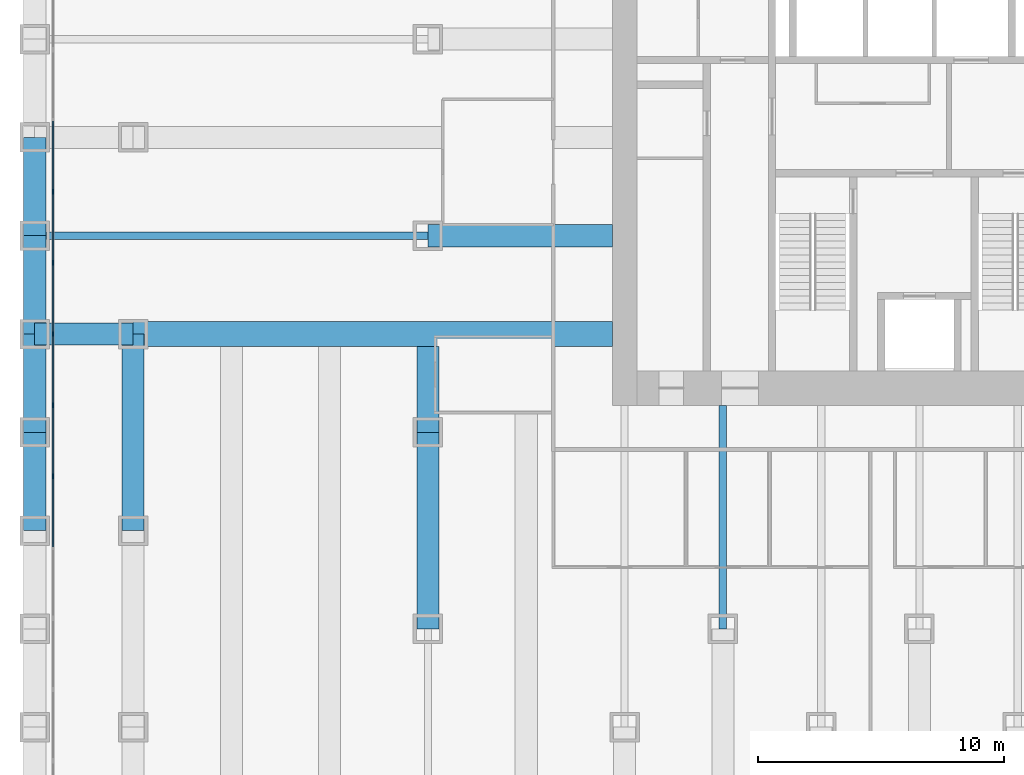
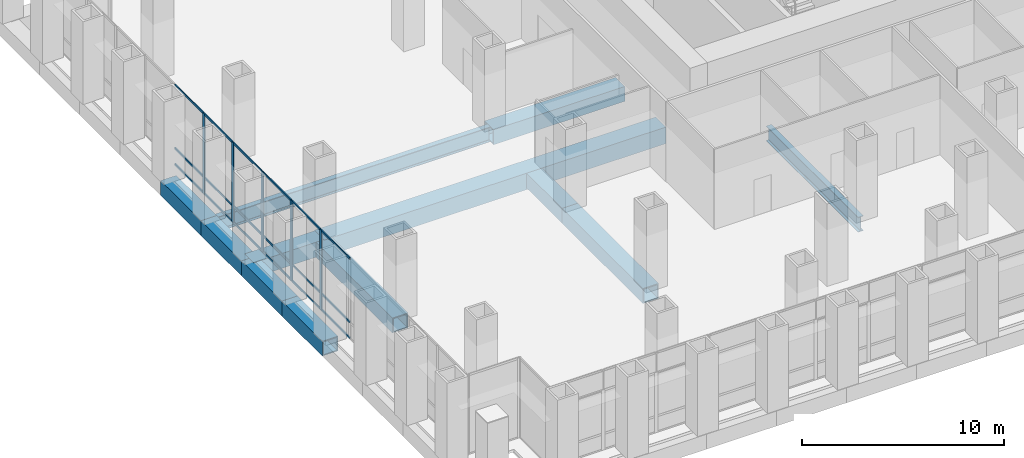
# One storey, part 4 of 18: 23 members, 12 beams, 1 element without a shape of its own.
"""IFC4 building model written with IfcOpenShell, lengths in metres."""

from ifc_helpers import new_model, si_unit, direction, frame, origin, origin_2d, place, context, subcontext, project, spatial, rectangle, hollow_rectangle, i_section, extrude, material, material_profile, profile_set, type_object, element, aggregate, save


model = new_model("IFC4")

# Units and contexts
model_context = context("Model", 3, precision=1e-05, world=origin(), true_north=direction((0.0, 1.0)))
body_context = subcontext(model_context, "Body", "Model", "MODEL_VIEW")
ifc_project = project(units=[si_unit("LENGTHUNIT", "METRE"), si_unit("AREAUNIT", "SQUARE_METRE"), si_unit("VOLUMEUNIT", "CUBIC_METRE"), si_unit("PLANEANGLEUNIT", "RADIAN"), si_unit("MASSUNIT", "GRAM", prefix="KILO")], contexts=[model_context])

# Site, building, storey
site_placement = place(None, origin())
site = spatial("IfcSite", under=ifc_project, at=site_placement, CompositionType="ELEMENT")
building_placement = place(site_placement, origin())
building = spatial("IfcBuilding", under=site, at=building_placement, Name="Rimbunsela Tower", CompositionType="ELEMENT")
storey_placement = place(building_placement, frame((0.0, 0.0, 6.0)))
storey = spatial("IfcBuildingStorey", under=building, at=storey_placement, Name="L01", CompositionType="ELEMENT", Elevation=6.0)

# Beams
ifc_material_1 = material(Name="Steel BJ 55 (fy 410 MPa)", Category="steel")
ifc_material_profile_1 = material_profile(ifc_material_1, hollow_rectangle(XDim=1.0, YDim=1.0, WallThickness=0.10009765625, at=origin_2d()), Name="BOX 1000x1000x100")
ifc_profile_set_1 = profile_set([ifc_material_profile_1], Name="Steel BJ 55 (fy 410 MPa)")
beam_type_1 = type_object("IfcBeamType", Name="Beam BOX 1000x1000x100", PredefinedType="BEAM", material=ifc_profile_set_1)
beam_1_placement = place(storey_placement, frame((-2.0, 20.0, -0.64990234375), z_axis=(1.0, 0.0, 0.0), x_axis=(0.0, 1.0, 0.0)))
element("IfcBeam", 1, at=beam_1_placement, inside=storey, type_object=beam_type_1, Name="Beam B3 L01", PredefinedType="BEAM", context=body_context, shape_type="SweptSolid", body=[
    extrude(hollow_rectangle(XDim=1.0, YDim=1.0, WallThickness=0.10009765625, at=origin_2d()), origin(), (0.0, 0.0, 1.0), 19.5),
])
ifc_material_2 = material(Name="Steel BJ 55 (fy 410 MPa)", Category="steel")
ifc_material_profile_2 = material_profile(ifc_material_2, hollow_rectangle(XDim=0.89990234375, YDim=0.89990234375, WallThickness=0.06005859375, at=origin_2d()), Name="BOX 900x900x60")
ifc_profile_set_2 = profile_set([ifc_material_profile_2], Name="Steel BJ 55 (fy 410 MPa)")
beam_type_2 = type_object("IfcBeamType", Name="Beam BOX 900x900x60", PredefinedType="BEAM", material=ifc_profile_set_2)
for number, where, z_axis, x_axis, name in (
    (2, (-6.0, 12.0, -0.60009765625), (0.0, 1.0, 0.0), (-1.0, 0.0, 0.0), "Beam B1 L01"),
    (3, (-6.0, 16.0, -0.60009765625), (0.0, 1.0, 0.0), (-1.0, 0.0, 0.0), "Beam B1 L01"),
    (4, (-6.0, 20.0, -0.60009765625), (0.0, 1.0, 0.0), (-1.0, 0.0, 0.0), "Beam B1 L01"),
    (5, (-6.0, 20.0, -0.60009765625), (1.0, 0.0, 0.0), (0.0, 1.0, 0.0), "Beam B1 L01"),
    (6, (-6.0, 24.0, -0.60009765625), (0.0, 1.0, 0.0), (-1.0, 0.0, 0.0), "Beam B1 L01"),
):
    element("IfcBeam", number, at=place(storey_placement, frame(where, z_axis=z_axis, x_axis=x_axis)), inside=storey, type_object=beam_type_2, Name=name, PredefinedType="BEAM", context=body_context, shape_type="SweptSolid", body=[
        extrude(hollow_rectangle(XDim=0.89990234375, YDim=0.89990234375, WallThickness=0.06005859375, at=origin_2d()), origin(), (0.0, 0.0, 1.0), 4.0),
    ])
for number, where, z_axis, x_axis, name in (
    (7, (-2.0, 12.0, -0.60009765625), (0.0, 1.0, 0.0), (-1.0, 0.0, 0.0), "Beam B1 L01"),
    (8, (10.0, 8.0, -0.60009765625), (0.0, 1.0, 0.0), (-1.0, 0.0, 0.0), "Beam B1 L01"),
):
    element("IfcBeam", number, at=place(storey_placement, frame(where, z_axis=z_axis, x_axis=x_axis)), inside=storey, type_object=beam_type_2, Name=name, PredefinedType="BEAM", context=body_context, shape_type="SweptSolid", body=[
        extrude(hollow_rectangle(XDim=0.89990234375, YDim=0.89990234375, WallThickness=0.06005859375, at=origin_2d()), origin(), (0.0, 0.0, 1.0), 8.0),
    ])
beam_2_placement = place(storey_placement, frame((10.0, 16.0, -0.60009765625), z_axis=(0.0, 1.0, 0.0), x_axis=(-1.0, 0.0, 0.0)))
element("IfcBeam", 9, at=beam_2_placement, inside=storey, type_object=beam_type_2, Name="Beam B1 L01", PredefinedType="BEAM", context=body_context, shape_type="SweptSolid", body=[
    extrude(hollow_rectangle(XDim=0.89990234375, YDim=0.89990234375, WallThickness=0.06005859375, at=origin_2d()), origin(), (0.0, 0.0, 1.0), 3.5),
])
beam_3_placement = place(storey_placement, frame((10.0, 24.0, -0.60009765625), z_axis=(1.0, 0.0, 0.0), x_axis=(0.0, 1.0, 0.0)))
element("IfcBeam", 10, at=beam_3_placement, inside=storey, type_object=beam_type_2, Name="Beam B1 L01", PredefinedType="BEAM", context=body_context, shape_type="SweptSolid", body=[
    extrude(hollow_rectangle(XDim=0.89990234375, YDim=0.89990234375, WallThickness=0.06005859375, at=origin_2d()), origin(), (0.0, 0.0, 1.0), 7.5),
])
ifc_material_3 = material(Name="Steel BJ 55 (fy 410 MPa)", Category="steel")
ifc_material_profile_3 = material_profile(ifc_material_3, i_section(OverallWidth=0.300048828125, OverallDepth=0.89990234375, WebThickness=0.01611328125, FlangeThickness=0.028076171875, FilletRadius=0.028076171875, at=origin_2d()), Name="H 900x300x16x28")
ifc_profile_set_3 = profile_set([ifc_material_profile_3], Name="Steel BJ 55 (fy 410 MPa)")
beam_type_3 = type_object("IfcBeamType", Name="Beam H 900x300x16x28", PredefinedType="BEAM", material=ifc_profile_set_3)
beam_4_placement = place(storey_placement, frame((-6.0, 24.0, -0.60009765625), z_axis=(1.0, 0.0, 0.0), x_axis=(0.0, 1.0, 0.0)))
element("IfcBeam", 11, at=beam_4_placement, inside=storey, type_object=beam_type_3, Name="Beam B2 L01", PredefinedType="BEAM", context=body_context, shape_type="SweptSolid", body=[
    extrude(i_section(OverallWidth=0.300048828125, OverallDepth=0.89990234375, WebThickness=0.01611328125, FlangeThickness=0.028076171875, FilletRadius=0.028076171875, at=origin_2d()), origin(), (0.0, 0.0, 1.0), 16.0),
])
beam_5_placement = place(storey_placement, frame((22.0, 8.0, -0.60009765625), z_axis=(0.0, 1.0, 0.0), x_axis=(-1.0, 0.0, 0.0)))
element("IfcBeam", 12, at=beam_5_placement, inside=storey, type_object=beam_type_3, Name="Beam B2 L01", PredefinedType="BEAM", context=body_context, shape_type="SweptSolid", body=[
    extrude(i_section(OverallWidth=0.300048828125, OverallDepth=0.89990234375, WebThickness=0.01611328125, FlangeThickness=0.028076171875, FilletRadius=0.028076171875, at=origin_2d()), origin(), (0.0, 0.0, 1.0), 9.10009765625),
])

# Curtain wall, members
ifc_material_4 = material(Name="Aluminium curtain wall", Category="aluminium")
curtain_wall_type = type_object("IfcCurtainWallType", Name="Podium glazing", PredefinedType="USERDEFINED", material=ifc_material_4)
curtain_wall_placement = place(storey_placement, origin())
curtain_wall = element("IfcCurtainWall", 13, at=curtain_wall_placement, inside=storey, type_object=curtain_wall_type, Name="Podium glazing L01", ObjectType="PODIUM GLAZING", PredefinedType="USERDEFINED")
ifc_material_5 = material(Name="Aluminium mullion", Category="aluminium")
ifc_material_profile_4 = material_profile(ifc_material_5, rectangle(XDim=0.06005859375, YDim=0.199951171875, at=origin_2d()), Name="Mullion 60x200")
ifc_profile_set_4 = profile_set([ifc_material_profile_4], Name="Aluminium mullion")
member_type_1 = type_object("IfcMemberType", Name="Curtain wall mullion 60x200", PredefinedType="MULLION", material=ifc_profile_set_4)
member_1_placement = place(storey_placement, frame((-5.25, 25.78564453125, 0.0), z_axis=(0.0, 0.0, 1.0), x_axis=(1.0, 0.0, 0.0)))
member_1 = element("IfcMember", 14, at=member_1_placement, type_object=member_type_1, Name="CW1 mullion 6", PredefinedType="MULLION", context=body_context, shape_type="SweptSolid", body=[
    extrude(rectangle(XDim=0.06005859375, YDim=0.199951171875, at=origin_2d()), origin(), (0.0, 0.0, 1.0), 4.85009765625),
])
member_2_placement = place(storey_placement, frame((-5.25, 22.892822265625, 0.0), z_axis=(0.0, 0.0, 1.0), x_axis=(1.0, 0.0, 0.0)))
member_2 = element("IfcMember", 15, at=member_2_placement, type_object=member_type_1, Name="CW1 mullion 7", PredefinedType="MULLION", context=body_context, shape_type="SweptSolid", body=[
    extrude(rectangle(XDim=0.06005859375, YDim=0.199951171875, at=origin_2d()), origin(), (0.0, 0.0, 1.0), 4.85009765625),
])
member_3_placement = place(storey_placement, frame((-5.25, 20.0, 0.0), z_axis=(0.0, 0.0, 1.0), x_axis=(1.0, 0.0, 0.0)))
member_3 = element("IfcMember", 16, at=member_3_placement, type_object=member_type_1, Name="CW1 mullion 8", PredefinedType="MULLION", context=body_context, shape_type="SweptSolid", body=[
    extrude(rectangle(XDim=0.06005859375, YDim=0.199951171875, at=origin_2d()), origin(), (0.0, 0.0, 1.0), 4.85009765625),
])
member_4_placement = place(storey_placement, frame((-5.25, 17.107177734375, 0.0), z_axis=(0.0, 0.0, 1.0), x_axis=(1.0, 0.0, 0.0)))
member_4 = element("IfcMember", 17, at=member_4_placement, type_object=member_type_1, Name="CW1 mullion 9", PredefinedType="MULLION", context=body_context, shape_type="SweptSolid", body=[
    extrude(rectangle(XDim=0.06005859375, YDim=0.199951171875, at=origin_2d()), origin(), (0.0, 0.0, 1.0), 4.85009765625),
])
member_5_placement = place(storey_placement, frame((-5.25, 14.21435546875, 0.0), z_axis=(0.0, 0.0, 1.0), x_axis=(1.0, 0.0, 0.0)))
member_5 = element("IfcMember", 18, at=member_5_placement, type_object=member_type_1, Name="CW1 mullion 10", PredefinedType="MULLION", context=body_context, shape_type="SweptSolid", body=[
    extrude(rectangle(XDim=0.06005859375, YDim=0.199951171875, at=origin_2d()), origin(), (0.0, 0.0, 1.0), 4.85009765625),
])
ifc_material_6 = material(Name="Aluminium transom", Category="aluminium")
ifc_material_profile_5 = material_profile(ifc_material_6, rectangle(XDim=0.06005859375, YDim=0.1201171875, at=origin_2d()), Name="Transom 60x120")
ifc_profile_set_5 = profile_set([ifc_material_profile_5], Name="Aluminium transom")
member_type_2 = type_object("IfcMemberType", Name="Curtain wall transom 60x120", PredefinedType="USERDEFINED", material=ifc_profile_set_5)
member_6_placement = place(storey_placement, frame((-5.25, 28.648681640625, 0.030029296875), z_axis=(0.0, -1.0, 0.0), x_axis=(1.0, 0.0, 0.0)))
member_6 = element("IfcMember", 19, at=member_6_placement, type_object=member_type_2, Name="CW1 transom 5.1", ObjectType="TRANSOM", PredefinedType="USERDEFINED", context=body_context, shape_type="SweptSolid", body=[
    extrude(rectangle(XDim=0.06005859375, YDim=0.1201171875, at=origin_2d()), origin(), (0.0, 0.0, 1.0), 2.8330078125),
])
member_7_placement = place(storey_placement, frame((-5.25, 28.648681640625, 1.0), z_axis=(0.0, -1.0, 0.0), x_axis=(1.0, 0.0, 0.0)))
member_7 = element("IfcMember", 20, at=member_7_placement, type_object=member_type_2, Name="CW1 transom 5.2", ObjectType="TRANSOM", PredefinedType="USERDEFINED", context=body_context, shape_type="SweptSolid", body=[
    extrude(rectangle(XDim=0.06005859375, YDim=0.1201171875, at=origin_2d()), origin(), (0.0, 0.0, 1.0), 2.8330078125),
])
member_8_placement = place(storey_placement, frame((-5.25, 28.648681640625, 4.820068359375), z_axis=(0.0, -1.0, 0.0), x_axis=(1.0, 0.0, 0.0)))
member_8 = element("IfcMember", 21, at=member_8_placement, type_object=member_type_2, Name="CW1 transom 5.3", ObjectType="TRANSOM", PredefinedType="USERDEFINED", context=body_context, shape_type="SweptSolid", body=[
    extrude(rectangle(XDim=0.06005859375, YDim=0.1201171875, at=origin_2d()), origin(), (0.0, 0.0, 1.0), 2.8330078125),
])
member_9_placement = place(storey_placement, frame((-5.25, 25.755615234375, 0.030029296875), z_axis=(0.0, -1.0, 0.0), x_axis=(1.0, 0.0, 0.0)))
member_9 = element("IfcMember", 22, at=member_9_placement, type_object=member_type_2, Name="CW1 transom 6.1", ObjectType="TRANSOM", PredefinedType="USERDEFINED", context=body_context, shape_type="SweptSolid", body=[
    extrude(rectangle(XDim=0.06005859375, YDim=0.1201171875, at=origin_2d()), origin(), (0.0, 0.0, 1.0), 2.832763671875),
])
member_10_placement = place(storey_placement, frame((-5.25, 25.755615234375, 1.0), z_axis=(0.0, -1.0, 0.0), x_axis=(1.0, 0.0, 0.0)))
member_10 = element("IfcMember", 23, at=member_10_placement, type_object=member_type_2, Name="CW1 transom 6.2", ObjectType="TRANSOM", PredefinedType="USERDEFINED", context=body_context, shape_type="SweptSolid", body=[
    extrude(rectangle(XDim=0.06005859375, YDim=0.1201171875, at=origin_2d()), origin(), (0.0, 0.0, 1.0), 2.832763671875),
])
member_11_placement = place(storey_placement, frame((-5.25, 25.755615234375, 4.820068359375), z_axis=(0.0, -1.0, 0.0), x_axis=(1.0, 0.0, 0.0)))
member_11 = element("IfcMember", 24, at=member_11_placement, type_object=member_type_2, Name="CW1 transom 6.3", ObjectType="TRANSOM", PredefinedType="USERDEFINED", context=body_context, shape_type="SweptSolid", body=[
    extrude(rectangle(XDim=0.06005859375, YDim=0.1201171875, at=origin_2d()), origin(), (0.0, 0.0, 1.0), 2.832763671875),
])
member_12_placement = place(storey_placement, frame((-5.25, 22.86279296875, 0.030029296875), z_axis=(0.0, -1.0, 0.0), x_axis=(1.0, 0.0, 0.0)))
member_12 = element("IfcMember", 25, at=member_12_placement, type_object=member_type_2, Name="CW1 transom 7.1", ObjectType="TRANSOM", PredefinedType="USERDEFINED", context=body_context, shape_type="SweptSolid", body=[
    extrude(rectangle(XDim=0.06005859375, YDim=0.1201171875, at=origin_2d()), origin(), (0.0, 0.0, 1.0), 2.832763671875),
])
member_13_placement = place(storey_placement, frame((-5.25, 22.86279296875, 1.0), z_axis=(0.0, -1.0, 0.0), x_axis=(1.0, 0.0, 0.0)))
member_13 = element("IfcMember", 26, at=member_13_placement, type_object=member_type_2, Name="CW1 transom 7.2", ObjectType="TRANSOM", PredefinedType="USERDEFINED", context=body_context, shape_type="SweptSolid", body=[
    extrude(rectangle(XDim=0.06005859375, YDim=0.1201171875, at=origin_2d()), origin(), (0.0, 0.0, 1.0), 2.832763671875),
])
member_14_placement = place(storey_placement, frame((-5.25, 22.86279296875, 4.820068359375), z_axis=(0.0, -1.0, 0.0), x_axis=(1.0, 0.0, 0.0)))
member_14 = element("IfcMember", 27, at=member_14_placement, type_object=member_type_2, Name="CW1 transom 7.3", ObjectType="TRANSOM", PredefinedType="USERDEFINED", context=body_context, shape_type="SweptSolid", body=[
    extrude(rectangle(XDim=0.06005859375, YDim=0.1201171875, at=origin_2d()), origin(), (0.0, 0.0, 1.0), 2.832763671875),
])
member_15_placement = place(storey_placement, frame((-5.25, 19.969970703125, 0.030029296875), z_axis=(0.0, -1.0, 0.0), x_axis=(1.0, 0.0, 0.0)))
member_15 = element("IfcMember", 28, at=member_15_placement, type_object=member_type_2, Name="CW1 transom 8.1", ObjectType="TRANSOM", PredefinedType="USERDEFINED", context=body_context, shape_type="SweptSolid", body=[
    extrude(rectangle(XDim=0.06005859375, YDim=0.1201171875, at=origin_2d()), origin(), (0.0, 0.0, 1.0), 2.832763671875),
])
member_16_placement = place(storey_placement, frame((-5.25, 19.969970703125, 1.0), z_axis=(0.0, -1.0, 0.0), x_axis=(1.0, 0.0, 0.0)))
member_16 = element("IfcMember", 29, at=member_16_placement, type_object=member_type_2, Name="CW1 transom 8.2", ObjectType="TRANSOM", PredefinedType="USERDEFINED", context=body_context, shape_type="SweptSolid", body=[
    extrude(rectangle(XDim=0.06005859375, YDim=0.1201171875, at=origin_2d()), origin(), (0.0, 0.0, 1.0), 2.832763671875),
])
member_17_placement = place(storey_placement, frame((-5.25, 19.969970703125, 4.820068359375), z_axis=(0.0, -1.0, 0.0), x_axis=(1.0, 0.0, 0.0)))
member_17 = element("IfcMember", 30, at=member_17_placement, type_object=member_type_2, Name="CW1 transom 8.3", ObjectType="TRANSOM", PredefinedType="USERDEFINED", context=body_context, shape_type="SweptSolid", body=[
    extrude(rectangle(XDim=0.06005859375, YDim=0.1201171875, at=origin_2d()), origin(), (0.0, 0.0, 1.0), 2.832763671875),
])
member_18_placement = place(storey_placement, frame((-5.25, 17.0771484375, 0.030029296875), z_axis=(0.0, -1.0, 0.0), x_axis=(1.0, 0.0, 0.0)))
member_18 = element("IfcMember", 31, at=member_18_placement, type_object=member_type_2, Name="CW1 transom 9.1", ObjectType="TRANSOM", PredefinedType="USERDEFINED", context=body_context, shape_type="SweptSolid", body=[
    extrude(rectangle(XDim=0.06005859375, YDim=0.1201171875, at=origin_2d()), origin(), (0.0, 0.0, 1.0), 2.832763671875),
])
member_19_placement = place(storey_placement, frame((-5.25, 17.0771484375, 1.0), z_axis=(0.0, -1.0, 0.0), x_axis=(1.0, 0.0, 0.0)))
member_19 = element("IfcMember", 32, at=member_19_placement, type_object=member_type_2, Name="CW1 transom 9.2", ObjectType="TRANSOM", PredefinedType="USERDEFINED", context=body_context, shape_type="SweptSolid", body=[
    extrude(rectangle(XDim=0.06005859375, YDim=0.1201171875, at=origin_2d()), origin(), (0.0, 0.0, 1.0), 2.832763671875),
])
member_20_placement = place(storey_placement, frame((-5.25, 17.0771484375, 4.820068359375), z_axis=(0.0, -1.0, 0.0), x_axis=(1.0, 0.0, 0.0)))
member_20 = element("IfcMember", 33, at=member_20_placement, type_object=member_type_2, Name="CW1 transom 9.3", ObjectType="TRANSOM", PredefinedType="USERDEFINED", context=body_context, shape_type="SweptSolid", body=[
    extrude(rectangle(XDim=0.06005859375, YDim=0.1201171875, at=origin_2d()), origin(), (0.0, 0.0, 1.0), 2.832763671875),
])
member_21_placement = place(storey_placement, frame((-5.25, 14.184326171875, 0.030029296875), z_axis=(0.0, -1.0, 0.0), x_axis=(1.0, 0.0, 0.0)))
member_21 = element("IfcMember", 34, at=member_21_placement, type_object=member_type_2, Name="CW1 transom 10.1", ObjectType="TRANSOM", PredefinedType="USERDEFINED", context=body_context, shape_type="SweptSolid", body=[
    extrude(rectangle(XDim=0.06005859375, YDim=0.1201171875, at=origin_2d()), origin(), (0.0, 0.0, 1.0), 2.8330078125),
])
member_22_placement = place(storey_placement, frame((-5.25, 14.184326171875, 1.0), z_axis=(0.0, -1.0, 0.0), x_axis=(1.0, 0.0, 0.0)))
member_22 = element("IfcMember", 35, at=member_22_placement, type_object=member_type_2, Name="CW1 transom 10.2", ObjectType="TRANSOM", PredefinedType="USERDEFINED", context=body_context, shape_type="SweptSolid", body=[
    extrude(rectangle(XDim=0.06005859375, YDim=0.1201171875, at=origin_2d()), origin(), (0.0, 0.0, 1.0), 2.8330078125),
])
member_23_placement = place(storey_placement, frame((-5.25, 14.184326171875, 4.820068359375), z_axis=(0.0, -1.0, 0.0), x_axis=(1.0, 0.0, 0.0)))
member_23 = element("IfcMember", 36, at=member_23_placement, type_object=member_type_2, Name="CW1 transom 10.3", ObjectType="TRANSOM", PredefinedType="USERDEFINED", context=body_context, shape_type="SweptSolid", body=[
    extrude(rectangle(XDim=0.06005859375, YDim=0.1201171875, at=origin_2d()), origin(), (0.0, 0.0, 1.0), 2.8330078125),
])
aggregate(curtain_wall, [member_1, member_2, member_3, member_4, member_5, member_6, member_7, member_8, member_9, member_10, member_11, member_12, member_13, member_14, member_15, member_16, member_17, member_18, member_19, member_20, member_21, member_22, member_23])

save(model, "model.ifc")
